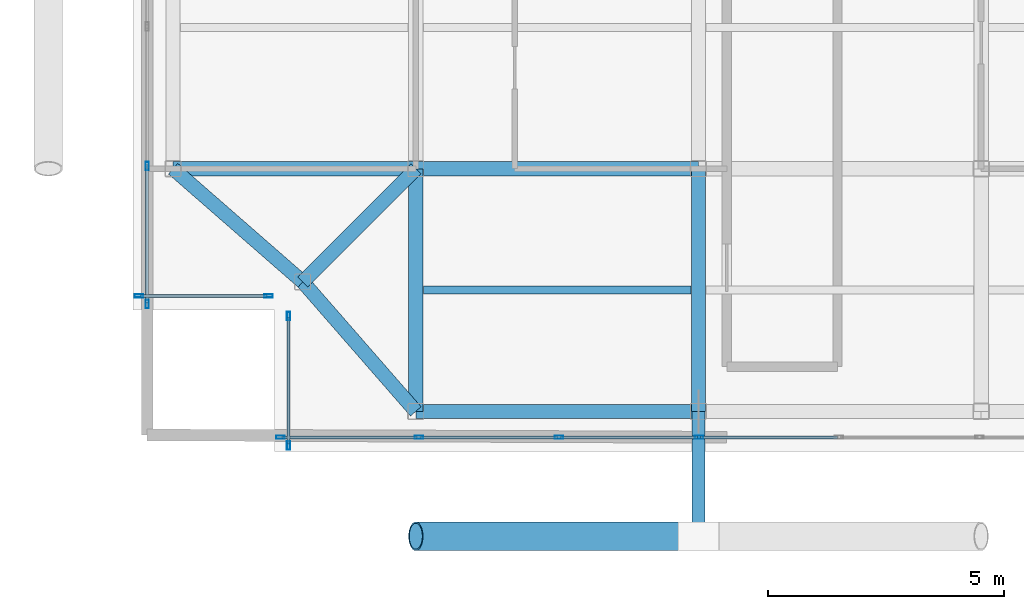
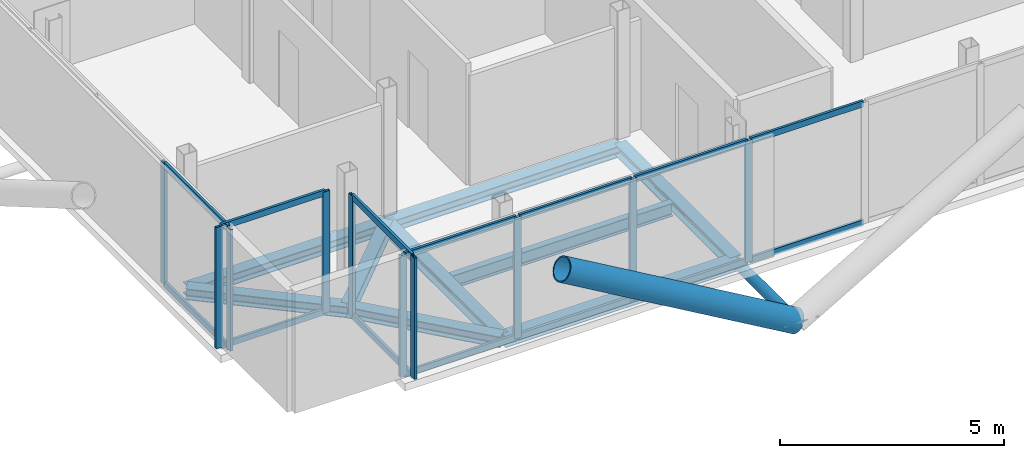
# One storey, part 2 of 18: 26 members, 9 beams, 4 elements without a shape of their own.
"""IFC4 building model written with IfcOpenShell, lengths in metres."""

from ifc_helpers import new_model, si_unit, direction, frame, origin, origin_2d, place, context, subcontext, project, spatial, hollow_rectangle, hollow_circle, i_section, extrude, material, layer, layer_set, material_profile, profile_set, type_object, element, aggregate, save


model = new_model("IFC4")

# Units and contexts
model_context = context("Model", 3, precision=1e-05, world=origin(), true_north=direction((0.0, 1.0)))
body_context = subcontext(model_context, "Body", "Model", "MODEL_VIEW")
ifc_project = project(units=[si_unit("LENGTHUNIT", "METRE"), si_unit("AREAUNIT", "SQUARE_METRE"), si_unit("VOLUMEUNIT", "CUBIC_METRE"), si_unit("PLANEANGLEUNIT", "RADIAN"), si_unit("MASSUNIT", "GRAM", prefix="KILO"), si_unit("THERMODYNAMICTEMPERATUREUNIT", "KELVIN"), si_unit("POWERUNIT", "WATT")], contexts=[model_context])

# Site, building, storey
site_placement = place(None, origin())
site = spatial("IfcSite", under=ifc_project, at=site_placement, CompositionType="ELEMENT")
building_placement = place(site_placement, origin())
building = spatial("IfcBuilding", under=site, at=building_placement, Name="Svarakhadi Broadcast Tower", CompositionType="ELEMENT")
storey_placement = place(building_placement, frame((0.0, 0.0, 246.699951171875)))
storey = spatial("IfcBuildingStorey", under=building, at=storey_placement, Name="L61", CompositionType="ELEMENT", Elevation=246.699951171875)

# Beam
ifc_material_1 = material(Name="Steel S355J2 (IS 2062 E350C)", Category="steel")
ifc_material_profile_1 = material_profile(ifc_material_1, i_section(OverallWidth=0.169921875, OverallDepth=0.360107421875, WebThickness=0.008056640625, FlangeThickness=0.0126953125, FilletRadius=0.01806640625, at=origin_2d()), Name="NPB 360x170x57")
ifc_profile_set_1 = profile_set([ifc_material_profile_1], Name="Steel S355J2 (IS 2062 E350C)")
beam_type_1 = type_object("IfcBeamType", Name="Beam_NPB360", PredefinedType="BEAM", material=ifc_profile_set_1)
beam_1_placement = place(storey_placement, frame((6.159912109375, 3.425048828125, -0.3798828125), z_axis=(1.0, 0.0, 0.0), x_axis=(0.0, 1.0, 0.0)))
element("IfcBeam", 1, at=beam_1_placement, inside=storey, type_object=beam_type_1, Name="L61 Secondary Composite Beam SB004", PredefinedType="BEAM", context=body_context, shape_type="SweptSolid", body=[
    extrude(i_section(OverallWidth=0.169921875, OverallDepth=0.360107421875, WebThickness=0.008056640625, FlangeThickness=0.0126953125, FilletRadius=0.01806640625, at=origin_2d()), origin(), (0.0, 0.0, 1.0), 5.68017578125),
])

# Curtain wall, members
ifc_material_2 = material(Name="Anodised Bronze Aluminium AA 6063-T6", Category="aluminium")
ifc_layer = layer(ifc_material_2, 0.179931640625)
ifc_layer_set = layer_set([ifc_layer], Name="Anodised Bronze Aluminium AA 6063-T6")
curtain_wall_type = type_object("IfcCurtainWallType", Name="CW_Sys_05", PredefinedType="NOTDEFINED", material=ifc_layer_set)
curtain_wall_1_placement = place(storey_placement, origin())
curtain_wall_1 = element("IfcCurtainWall", 2, at=curtain_wall_1_placement, inside=storey, type_object=curtain_wall_type, Name="L61 Unitised Facade Curtain Wall 01", PredefinedType="NOTDEFINED")
ifc_material_profile_2 = material_profile(ifc_material_2, hollow_rectangle(XDim=0.070068359375, YDim=0.179931640625, WallThickness=0.005615234375, at=origin_2d()), Name="ALU MULLION 180x70x6")
ifc_profile_set_2 = profile_set([ifc_material_profile_2], Name="Anodised Bronze Aluminium AA 6063-T6")
member_type_1 = type_object("IfcMemberType", Name="CW_Sys_05_Mul", PredefinedType="MULLION", material=ifc_profile_set_2)
member_1_placement = place(storey_placement, frame((2.875, 3.300048828125, 0.0), z_axis=(0.0, 0.0, 1.0), x_axis=(0.0, -1.0, 0.0)))
member_1 = element("IfcMember", 3, at=member_1_placement, type_object=member_type_1, Name="CW-05 mullion 1", PredefinedType="MULLION", context=body_context, shape_type="SweptSolid", body=[
    extrude(hollow_rectangle(XDim=0.070068359375, YDim=0.179931640625, WallThickness=0.005615234375, at=origin_2d()), origin(), (0.0, 0.0, 1.0), 3.300048828125),
])
member_2_placement = place(storey_placement, frame((0.125, 3.300048828125, 0.0), z_axis=(0.0, 0.0, 1.0), x_axis=(0.0, -1.0, 0.0)))
member_2 = element("IfcMember", 4, at=member_2_placement, type_object=member_type_1, Name="CW-05 mullion 2", PredefinedType="MULLION", context=body_context, shape_type="SweptSolid", body=[
    extrude(hollow_rectangle(XDim=0.070068359375, YDim=0.179931640625, WallThickness=0.005615234375, at=origin_2d()), origin(), (0.0, 0.0, 1.0), 3.300048828125),
])

curtain_wall_2_placement = place(storey_placement, origin())
curtain_wall_2 = element("IfcCurtainWall", 5, at=curtain_wall_2_placement, inside=storey, type_object=curtain_wall_type, Name="L61 West Curtain Wall 02", PredefinedType="NOTDEFINED")
member_3_placement = place(storey_placement, frame((0.300048828125, 3.125, 0.0), z_axis=(0.0, 0.0, 1.0), x_axis=(-1.0, 0.0, 0.0)))
member_3 = element("IfcMember", 6, at=member_3_placement, type_object=member_type_1, Name="CW-05 mullion 1", PredefinedType="MULLION", context=body_context, shape_type="SweptSolid", body=[
    extrude(hollow_rectangle(XDim=0.070068359375, YDim=0.179931640625, WallThickness=0.005615234375, at=origin_2d()), origin(), (0.0, 0.0, 1.0), 3.300048828125),
])
member_4_placement = place(storey_placement, frame((0.300048828125, 6.053955078125, 0.0), z_axis=(0.0, 0.0, 1.0), x_axis=(-1.0, 0.0, 0.0)))
member_4 = element("IfcMember", 7, at=member_4_placement, type_object=member_type_1, Name="CW-05 mullion 2", PredefinedType="MULLION", context=body_context, shape_type="SweptSolid", body=[
    extrude(hollow_rectangle(XDim=0.070068359375, YDim=0.179931640625, WallThickness=0.005615234375, at=origin_2d()), origin(), (0.0, 0.0, 1.0), 3.300048828125),
])

curtain_wall_3_placement = place(storey_placement, origin())
curtain_wall_3 = element("IfcCurtainWall", 8, at=curtain_wall_3_placement, inside=storey, type_object=curtain_wall_type, Name="L61 South Curtain Wall 15", PredefinedType="NOTDEFINED")
member_5_placement = place(storey_placement, frame((12.012939453125, 0.300048828125, 0.0), z_axis=(0.0, 0.0, 1.0), x_axis=(0.0, -1.0, 0.0)))
member_5 = element("IfcMember", 9, at=member_5_placement, type_object=member_type_1, Name="CW-05 mullion 5", PredefinedType="MULLION", context=body_context, shape_type="SweptSolid", body=[
    extrude(hollow_rectangle(XDim=0.070068359375, YDim=0.179931640625, WallThickness=0.005615234375, at=origin_2d()), origin(), (0.0, 0.0, 1.0), 3.300048828125),
])
member_6_placement = place(storey_placement, frame((9.03857421875, 0.300048828125, 0.0), z_axis=(0.0, 0.0, 1.0), x_axis=(0.0, -1.0, 0.0)))
member_6 = element("IfcMember", 10, at=member_6_placement, type_object=member_type_1, Name="CW-05 mullion 6", PredefinedType="MULLION", context=body_context, shape_type="SweptSolid", body=[
    extrude(hollow_rectangle(XDim=0.070068359375, YDim=0.179931640625, WallThickness=0.005615234375, at=origin_2d()), origin(), (0.0, 0.0, 1.0), 3.300048828125),
])
member_7_placement = place(storey_placement, frame((6.064208984375, 0.300048828125, 0.0), z_axis=(0.0, 0.0, 1.0), x_axis=(0.0, -1.0, 0.0)))
member_7 = element("IfcMember", 11, at=member_7_placement, type_object=member_type_1, Name="CW-05 mullion 7", PredefinedType="MULLION", context=body_context, shape_type="SweptSolid", body=[
    extrude(hollow_rectangle(XDim=0.070068359375, YDim=0.179931640625, WallThickness=0.005615234375, at=origin_2d()), origin(), (0.0, 0.0, 1.0), 3.300048828125),
])
member_8_placement = place(storey_placement, frame((3.125, 0.300048828125, 0.0), z_axis=(0.0, 0.0, 1.0), x_axis=(0.0, -1.0, 0.0)))
member_8 = element("IfcMember", 12, at=member_8_placement, type_object=member_type_1, Name="CW-05 mullion 8", PredefinedType="MULLION", context=body_context, shape_type="SweptSolid", body=[
    extrude(hollow_rectangle(XDim=0.070068359375, YDim=0.179931640625, WallThickness=0.005615234375, at=origin_2d()), origin(), (0.0, 0.0, 1.0), 3.300048828125),
])

curtain_wall_4_placement = place(storey_placement, origin())
curtain_wall_4 = element("IfcCurtainWall", 13, at=curtain_wall_4_placement, inside=storey, type_object=curtain_wall_type, Name="L61 Unitised Facade Curtain Wall 16", PredefinedType="NOTDEFINED")
member_9_placement = place(storey_placement, frame((3.300048828125, 0.125, 0.0), z_axis=(0.0, 0.0, 1.0), x_axis=(-1.0, 0.0, 0.0)))
member_9 = element("IfcMember", 14, at=member_9_placement, type_object=member_type_1, Name="CW-05 mullion 1", PredefinedType="MULLION", context=body_context, shape_type="SweptSolid", body=[
    extrude(hollow_rectangle(XDim=0.070068359375, YDim=0.179931640625, WallThickness=0.005615234375, at=origin_2d()), origin(), (0.0, 0.0, 1.0), 3.300048828125),
])
member_10_placement = place(storey_placement, frame((3.300048828125, 2.875, 0.0), z_axis=(0.0, 0.0, 1.0), x_axis=(-1.0, 0.0, 0.0)))
member_10 = element("IfcMember", 15, at=member_10_placement, type_object=member_type_1, Name="CW-05 mullion 2", PredefinedType="MULLION", context=body_context, shape_type="SweptSolid", body=[
    extrude(hollow_rectangle(XDim=0.070068359375, YDim=0.179931640625, WallThickness=0.005615234375, at=origin_2d()), origin(), (0.0, 0.0, 1.0), 3.300048828125),
])

# Member
ifc_material_profile_3 = material_profile(ifc_material_2, hollow_rectangle(XDim=0.06494140625, YDim=0.1650390625, WallThickness=0.0048828125, at=origin_2d()), Name="ALU TRANSOM 165x65x5")
ifc_profile_set_3 = profile_set([ifc_material_profile_3], Name="Anodised Bronze Aluminium AA 6063-T6")
member_type_2 = type_object("IfcMemberType", Name="CW_Sys_05_Trn", PredefinedType="USERDEFINED", material=ifc_profile_set_3)
member_11_placement = place(storey_placement, frame((2.840087890625, 3.300048828125, 0.032470703125), z_axis=(-1.0, 0.0, 0.0), x_axis=(0.0, -1.0, 0.0)))
member_11 = element("IfcMember", 16, at=member_11_placement, type_object=member_type_2, Name="CW-05 transom 1.1", ObjectType="TRANSOM", PredefinedType="USERDEFINED", context=body_context, shape_type="SweptSolid", body=[
    extrude(hollow_rectangle(XDim=0.06494140625, YDim=0.1650390625, WallThickness=0.0048828125, at=origin_2d()), origin(), (0.0, 0.0, 1.0), 2.68017578125),
])

member_12_placement = place(storey_placement, frame((2.840087890625, 3.300048828125, 3.267578125), z_axis=(-1.0, 0.0, 0.0), x_axis=(0.0, -1.0, 0.0)))
member_12 = element("IfcMember", 17, at=member_12_placement, type_object=member_type_2, Name="CW-05 transom 1.2", ObjectType="TRANSOM", PredefinedType="USERDEFINED", context=body_context, shape_type="SweptSolid", body=[
    extrude(hollow_rectangle(XDim=0.06494140625, YDim=0.1650390625, WallThickness=0.0048828125, at=origin_2d()), origin(), (0.0, 0.0, 1.0), 2.68017578125),
])

aggregate(curtain_wall_1, [member_1, member_2, member_11, member_12])

member_13_placement = place(storey_placement, frame((0.300048828125, 3.159912109375, 0.032470703125), z_axis=(0.0, 1.0, 0.0), x_axis=(-1.0, 0.0, 0.0)))
member_13 = element("IfcMember", 18, at=member_13_placement, type_object=member_type_2, Name="CW-05 transom 1.1", ObjectType="TRANSOM", PredefinedType="USERDEFINED", context=body_context, shape_type="SweptSolid", body=[
    extrude(hollow_rectangle(XDim=0.06494140625, YDim=0.1650390625, WallThickness=0.0048828125, at=origin_2d()), origin(), (0.0, 0.0, 1.0), 2.859130859375),
])

member_14_placement = place(storey_placement, frame((0.300048828125, 3.159912109375, 3.267578125), z_axis=(0.0, 1.0, 0.0), x_axis=(-1.0, 0.0, 0.0)))
member_14 = element("IfcMember", 19, at=member_14_placement, type_object=member_type_2, Name="CW-05 transom 1.2", ObjectType="TRANSOM", PredefinedType="USERDEFINED", context=body_context, shape_type="SweptSolid", body=[
    extrude(hollow_rectangle(XDim=0.06494140625, YDim=0.1650390625, WallThickness=0.0048828125, at=origin_2d()), origin(), (0.0, 0.0, 1.0), 2.859130859375),
])

aggregate(curtain_wall_2, [member_3, member_4, member_13, member_14])

member_15_placement = place(storey_placement, frame((14.9521484375, 0.300048828125, 0.032470703125), z_axis=(-1.0, 0.0, 0.0), x_axis=(0.0, -1.0, 0.0)))
member_15 = element("IfcMember", 20, at=member_15_placement, type_object=member_type_2, Name="CW-05 transom 4.1", ObjectType="TRANSOM", PredefinedType="USERDEFINED", context=body_context, shape_type="SweptSolid", body=[
    extrude(hollow_rectangle(XDim=0.06494140625, YDim=0.1650390625, WallThickness=0.0048828125, at=origin_2d()), origin(), (0.0, 0.0, 1.0), 2.904296875),
])

member_16_placement = place(storey_placement, frame((14.9521484375, 0.300048828125, 3.267578125), z_axis=(-1.0, 0.0, 0.0), x_axis=(0.0, -1.0, 0.0)))
member_16 = element("IfcMember", 21, at=member_16_placement, type_object=member_type_2, Name="CW-05 transom 4.2", ObjectType="TRANSOM", PredefinedType="USERDEFINED", context=body_context, shape_type="SweptSolid", body=[
    extrude(hollow_rectangle(XDim=0.06494140625, YDim=0.1650390625, WallThickness=0.0048828125, at=origin_2d()), origin(), (0.0, 0.0, 1.0), 2.904296875),
])

member_17_placement = place(storey_placement, frame((11.977783203125, 0.300048828125, 0.032470703125), z_axis=(-1.0, 0.0, 0.0), x_axis=(0.0, -1.0, 0.0)))
member_17 = element("IfcMember", 22, at=member_17_placement, type_object=member_type_2, Name="CW-05 transom 5.1", ObjectType="TRANSOM", PredefinedType="USERDEFINED", context=body_context, shape_type="SweptSolid", body=[
    extrude(hollow_rectangle(XDim=0.06494140625, YDim=0.1650390625, WallThickness=0.0048828125, at=origin_2d()), origin(), (0.0, 0.0, 1.0), 2.904296875),
])

member_18_placement = place(storey_placement, frame((11.977783203125, 0.300048828125, 3.267578125), z_axis=(-1.0, 0.0, 0.0), x_axis=(0.0, -1.0, 0.0)))
member_18 = element("IfcMember", 23, at=member_18_placement, type_object=member_type_2, Name="CW-05 transom 5.2", ObjectType="TRANSOM", PredefinedType="USERDEFINED", context=body_context, shape_type="SweptSolid", body=[
    extrude(hollow_rectangle(XDim=0.06494140625, YDim=0.1650390625, WallThickness=0.0048828125, at=origin_2d()), origin(), (0.0, 0.0, 1.0), 2.904296875),
])

member_19_placement = place(storey_placement, frame((9.003662109375, 0.300048828125, 0.032470703125), z_axis=(-1.0, 0.0, 0.0), x_axis=(0.0, -1.0, 0.0)))
member_19 = element("IfcMember", 24, at=member_19_placement, type_object=member_type_2, Name="CW-05 transom 6.1", ObjectType="TRANSOM", PredefinedType="USERDEFINED", context=body_context, shape_type="SweptSolid", body=[
    extrude(hollow_rectangle(XDim=0.06494140625, YDim=0.1650390625, WallThickness=0.0048828125, at=origin_2d()), origin(), (0.0, 0.0, 1.0), 2.904296875),
])

member_20_placement = place(storey_placement, frame((9.003662109375, 0.300048828125, 3.267578125), z_axis=(-1.0, 0.0, 0.0), x_axis=(0.0, -1.0, 0.0)))
member_20 = element("IfcMember", 25, at=member_20_placement, type_object=member_type_2, Name="CW-05 transom 6.2", ObjectType="TRANSOM", PredefinedType="USERDEFINED", context=body_context, shape_type="SweptSolid", body=[
    extrude(hollow_rectangle(XDim=0.06494140625, YDim=0.1650390625, WallThickness=0.0048828125, at=origin_2d()), origin(), (0.0, 0.0, 1.0), 2.904296875),
])

member_21_placement = place(storey_placement, frame((6.029296875, 0.300048828125, 0.032470703125), z_axis=(-1.0, 0.0, 0.0), x_axis=(0.0, -1.0, 0.0)))
member_21 = element("IfcMember", 26, at=member_21_placement, type_object=member_type_2, Name="CW-05 transom 7.1", ObjectType="TRANSOM", PredefinedType="USERDEFINED", context=body_context, shape_type="SweptSolid", body=[
    extrude(hollow_rectangle(XDim=0.06494140625, YDim=0.1650390625, WallThickness=0.0048828125, at=origin_2d()), origin(), (0.0, 0.0, 1.0), 2.869384765625),
])

member_22_placement = place(storey_placement, frame((6.029296875, 0.300048828125, 3.267578125), z_axis=(-1.0, 0.0, 0.0), x_axis=(0.0, -1.0, 0.0)))
member_22 = element("IfcMember", 27, at=member_22_placement, type_object=member_type_2, Name="CW-05 transom 7.2", ObjectType="TRANSOM", PredefinedType="USERDEFINED", context=body_context, shape_type="SweptSolid", body=[
    extrude(hollow_rectangle(XDim=0.06494140625, YDim=0.1650390625, WallThickness=0.0048828125, at=origin_2d()), origin(), (0.0, 0.0, 1.0), 2.869384765625),
])

aggregate(curtain_wall_3, [member_5, member_6, member_7, member_8, member_15, member_16, member_17, member_18, member_19, member_20, member_21, member_22])

member_23_placement = place(storey_placement, frame((3.300048828125, 0.159912109375, 0.032470703125), z_axis=(0.0, 1.0, 0.0), x_axis=(-1.0, 0.0, 0.0)))
member_23 = element("IfcMember", 28, at=member_23_placement, type_object=member_type_2, Name="CW-05 transom 1.1", ObjectType="TRANSOM", PredefinedType="USERDEFINED", context=body_context, shape_type="SweptSolid", body=[
    extrude(hollow_rectangle(XDim=0.06494140625, YDim=0.1650390625, WallThickness=0.0048828125, at=origin_2d()), origin(), (0.0, 0.0, 1.0), 2.68017578125),
])

member_24_placement = place(storey_placement, frame((3.300048828125, 0.159912109375, 3.267578125), z_axis=(0.0, 1.0, 0.0), x_axis=(-1.0, 0.0, 0.0)))
member_24 = element("IfcMember", 29, at=member_24_placement, type_object=member_type_2, Name="CW-05 transom 1.2", ObjectType="TRANSOM", PredefinedType="USERDEFINED", context=body_context, shape_type="SweptSolid", body=[
    extrude(hollow_rectangle(XDim=0.06494140625, YDim=0.1650390625, WallThickness=0.0048828125, at=origin_2d()), origin(), (0.0, 0.0, 1.0), 2.68017578125),
])

aggregate(curtain_wall_4, [member_9, member_10, member_23, member_24])

# Members
ifc_material_3 = material(Name="Steel S460ML (IS 2062 E450BR)", Category="steel")
ifc_material_profile_4 = material_profile(ifc_material_3, hollow_circle(Radius=0.304931640625, WallThickness=0.030029296875, at=origin_2d()), Name="CHS 610x30")
ifc_profile_set_4 = profile_set([ifc_material_profile_4], Name="Steel S460ML (IS 2062 E450BR)")
member_type_3 = type_object("IfcMemberType", Name="Exo_Brace_CHS610", PredefinedType="BRACE", material=ifc_profile_set_4)
member_25_placement = place(storey_placement, frame((12.0, -1.800048828125, -0.33642578125), z_axis=(-0.863778900898, 0.0, 0.503871025524), x_axis=(0.0, -1.0, 0.0)))
element("IfcMember", 30, at=member_25_placement, inside=storey, type_object=member_type_3, Name="L61 Exposed Bronze Exoskeleton Diagonal S01", PredefinedType="BRACE", context=body_context, shape_type="SweptSolid", body=[
    extrude(hollow_circle(Radius=0.304931640625, WallThickness=0.030029296875, at=origin_2d()), origin(), (0.0, 0.0, 1.0), 6.9462890625),
])
ifc_material_profile_5 = material_profile(ifc_material_3, hollow_circle(Radius=0.136474609375, WallThickness=0.012451171875, at=origin_2d()), Name="CHS 273x12.5")
ifc_profile_set_5 = profile_set([ifc_material_profile_5], Name="Steel S460ML (IS 2062 E450BR)")
member_type_4 = type_object("IfcMemberType", Name="Exo_Radial_Strut_Z3", PredefinedType="STRUT", material=ifc_profile_set_5)
member_26_placement = place(storey_placement, frame((12.0, -1.800048828125, -0.33642578125), z_axis=(0.0, 1.0, 0.0), x_axis=(-1.0, 0.0, 0.0)))
element("IfcMember", 31, at=member_26_placement, inside=storey, type_object=member_type_4, Name="L61 Exoskeleton Radial Tie Strut S01", PredefinedType="STRUT", context=body_context, shape_type="SweptSolid", body=[
    extrude(hollow_circle(Radius=0.136474609375, WallThickness=0.012451171875, at=origin_2d()), origin(), (0.0, 0.0, 1.0), 2.650146484375),
])

# Beams
ifc_material_profile_6 = material_profile(ifc_material_1, i_section(OverallWidth=0.300048828125, OverallDepth=0.300048828125, WebThickness=0.010986328125, FlangeThickness=0.01904296875, FilletRadius=0.027099609375, at=origin_2d()), Name="WPB 300x300x117")
ifc_profile_set_6 = profile_set([ifc_material_profile_6], Name="Steel S355J2 (IS 2062 E350C)")
beam_type_2 = type_object("IfcBeamType", Name="Girder_WPB300", PredefinedType="USERDEFINED", material=ifc_profile_set_6)
beam_2_placement = place(storey_placement, frame((3.60009765625, 3.60009765625, -0.349853515625), z_axis=(0.707106781187, 0.707106781187, 0.0), x_axis=(-0.707106781187, 0.707106781187, 0.0)))
element("IfcBeam", 32, at=beam_2_placement, inside=storey, type_object=beam_type_2, Name="L61 Corner Tie Girder G001", ObjectType="GIRDER", PredefinedType="USERDEFINED", context=body_context, shape_type="SweptSolid", body=[
    extrude(i_section(OverallWidth=0.300048828125, OverallDepth=0.300048828125, WebThickness=0.010986328125, FlangeThickness=0.01904296875, FilletRadius=0.027099609375, at=origin_2d()), origin(), (0.0, 0.0, 1.0), 3.39404296875),
])
for number, where, z_axis, x_axis, name in (
    (33, (3.60009765625, 3.60009765625, -0.349853515625), (-0.753437912176, 0.657519058655, 0.0), (-0.657519058655, -0.753437912176, 0.0), "L61 Corner Tie Girder G002"),
    (34, (3.60009765625, 3.60009765625, -0.349853515625), (0.657519058655, -0.753437912176, 0.0), (0.753437912176, 0.657519058655, 0.0), "L61 Corner Tie Girder G003"),
):
    element("IfcBeam", number, at=place(storey_placement, frame(where, z_axis=z_axis, x_axis=x_axis)), inside=storey, type_object=beam_type_2, Name=name, ObjectType="GIRDER", PredefinedType="USERDEFINED", context=body_context, shape_type="SweptSolid", body=[
        extrude(i_section(OverallWidth=0.300048828125, OverallDepth=0.300048828125, WebThickness=0.010986328125, FlangeThickness=0.01904296875, FilletRadius=0.027099609375, at=origin_2d()), origin(), (0.0, 0.0, 1.0), 3.64990234375),
    ])
beam_3_placement = place(storey_placement, frame((6.0, 0.85009765625, -0.349853515625), z_axis=(1.0, 0.0, 0.0), x_axis=(0.0, 1.0, 0.0)))
element("IfcBeam", 35, at=beam_3_placement, inside=storey, type_object=beam_type_2, Name="L61 Primary E-W Girder G004", ObjectType="GIRDER", PredefinedType="USERDEFINED", context=body_context, shape_type="SweptSolid", body=[
    extrude(i_section(OverallWidth=0.300048828125, OverallDepth=0.300048828125, WebThickness=0.010986328125, FlangeThickness=0.01904296875, FilletRadius=0.027099609375, at=origin_2d()), origin(), (0.0, 0.0, 1.0), 6.0),
])
beam_4_placement = place(storey_placement, frame((0.85009765625, 6.0, -0.349853515625), z_axis=(1.0, 0.0, 0.0), x_axis=(0.0, 1.0, 0.0)))
element("IfcBeam", 36, at=beam_4_placement, inside=storey, type_object=beam_type_2, Name="L61 Primary E-W Girder G008", ObjectType="GIRDER", PredefinedType="USERDEFINED", context=body_context, shape_type="SweptSolid", body=[
    extrude(i_section(OverallWidth=0.300048828125, OverallDepth=0.300048828125, WebThickness=0.010986328125, FlangeThickness=0.01904296875, FilletRadius=0.027099609375, at=origin_2d()), origin(), (0.0, 0.0, 1.0), 5.14990234375),
])
beam_5_placement = place(storey_placement, frame((6.0, 6.0, -0.349853515625), z_axis=(1.0, 0.0, 0.0), x_axis=(0.0, 1.0, 0.0)))
element("IfcBeam", 37, at=beam_5_placement, inside=storey, type_object=beam_type_2, Name="L61 Primary E-W Girder G009", ObjectType="GIRDER", PredefinedType="USERDEFINED", context=body_context, shape_type="SweptSolid", body=[
    extrude(i_section(OverallWidth=0.300048828125, OverallDepth=0.300048828125, WebThickness=0.010986328125, FlangeThickness=0.01904296875, FilletRadius=0.027099609375, at=origin_2d()), origin(), (0.0, 0.0, 1.0), 6.0),
])
for number, where, z_axis, x_axis, name in (
    (38, (6.0, 0.85009765625, -0.349853515625), (0.0, 1.0, 0.0), (-1.0, 0.0, 0.0), "L61 Primary N-S Girder G029"),
    (39, (12.0, 0.85009765625, -0.349853515625), (0.0, 1.0, 0.0), (-1.0, 0.0, 0.0), "L61 Primary N-S Girder G033"),
):
    element("IfcBeam", number, at=place(storey_placement, frame(where, z_axis=z_axis, x_axis=x_axis)), inside=storey, type_object=beam_type_2, Name=name, ObjectType="GIRDER", PredefinedType="USERDEFINED", context=body_context, shape_type="SweptSolid", body=[
        extrude(i_section(OverallWidth=0.300048828125, OverallDepth=0.300048828125, WebThickness=0.010986328125, FlangeThickness=0.01904296875, FilletRadius=0.027099609375, at=origin_2d()), origin(), (0.0, 0.0, 1.0), 5.14990234375),
    ])

save(model, "model.ifc")
